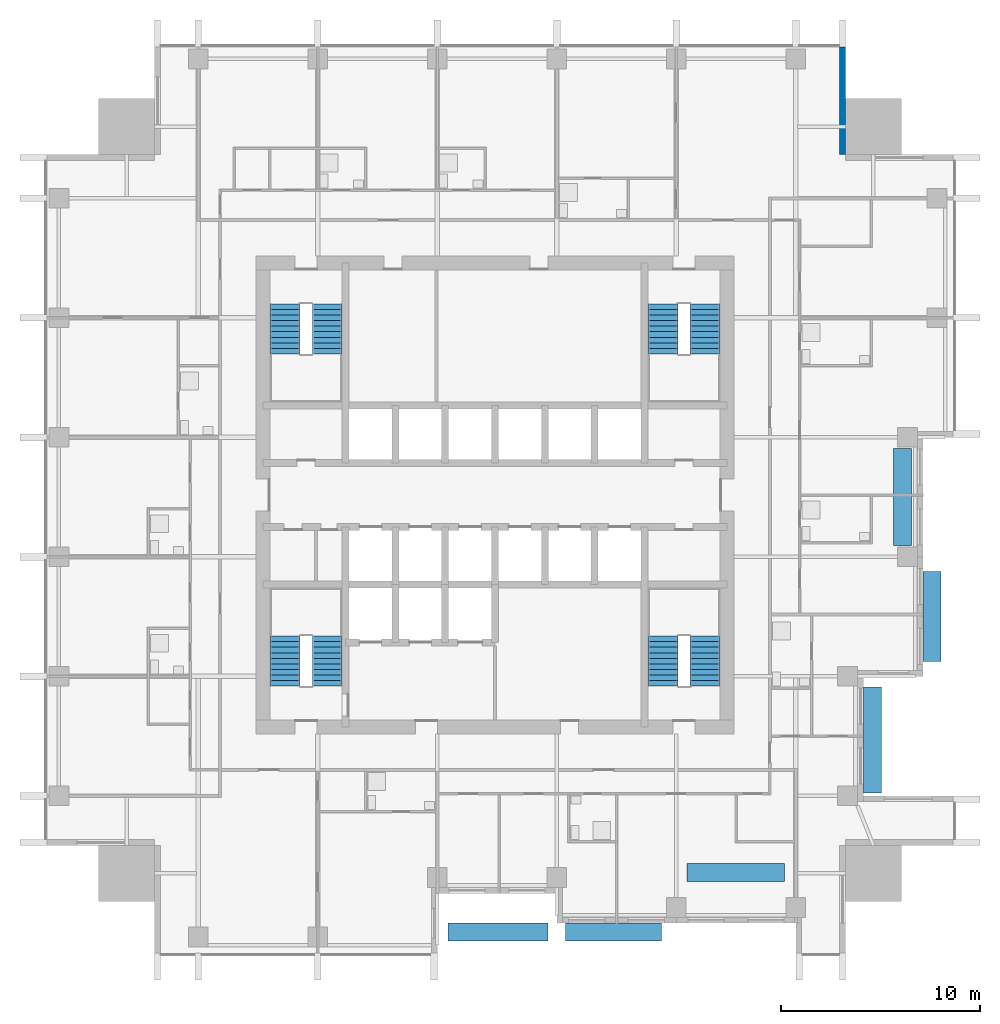
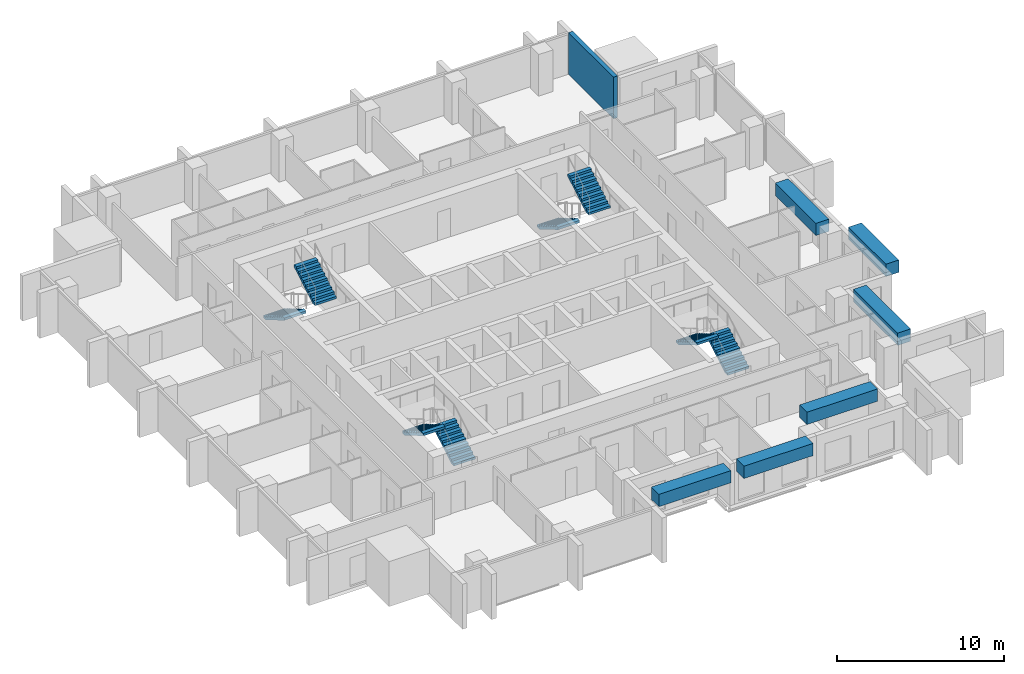
# One storey, part 8 of 10: 8 stair flights, 6 discrete accessories, 1 wall, 4 elements without a shape of their own.
"""IFC4 building model written with IfcOpenShell, lengths in metres."""

from ifc_helpers import new_model, si_unit, direction, frame, frame_2d, origin, origin_2d, place, context, subcontext, project, spatial, polyline, rectangle, outline, extrude, material, layer, layer_set, type_object, element, aggregate, save


model = new_model("IFC4")

# Units and contexts
model_context = context("Model", 3, precision=1e-05, world=origin(), true_north=direction((0.0, 1.0)))
body_context = subcontext(model_context, "Body", "Model", "MODEL_VIEW")
ifc_project = project(units=[si_unit("LENGTHUNIT", "METRE"), si_unit("AREAUNIT", "SQUARE_METRE"), si_unit("VOLUMEUNIT", "CUBIC_METRE"), si_unit("PLANEANGLEUNIT", "RADIAN"), si_unit("MASSUNIT", "GRAM", prefix="KILO")], contexts=[model_context])

# Site, building, storey
site_placement = place(None, origin())
site = spatial("IfcSite", under=ifc_project, at=site_placement, CompositionType="ELEMENT")
building_placement = place(site_placement, origin())
building = spatial("IfcBuilding", under=site, at=building_placement, Name="Amberfall Residences", CompositionType="ELEMENT")
storey_placement = place(building_placement, frame((0.0, 0.0, 140.5)))
storey = spatial("IfcBuildingStorey", under=building, at=storey_placement, Name="L37", CompositionType="ELEMENT", Elevation=140.5)

# Wall
ifc_material_1 = material(Name="Pale stone cladding on insulated backing", Category="masonry")
ifc_layer = layer(ifc_material_1, 0.300048828125)
ifc_layer_set = layer_set([ifc_layer], Name="Bronze clad wall 300")
wall_type = type_object("IfcWallType", Name="Bronze clad wall 300", PredefinedType="SOLIDWALL", material=ifc_layer_set)
wall_placement = place(storey_placement, frame((91.949951171875, 62.60009765625, 0.0), z_axis=(0.0, 0.0, 1.0), x_axis=(0.0, 1.0, 0.0)))
element("IfcWall", 1, at=wall_placement, inside=storey, type_object=wall_type, Name="External wall L37 NE", PredefinedType="SOLIDWALL", context=body_context, shape_type="SweptSolid", body=[
    extrude(rectangle(XDim=5.39990234375, YDim=0.300048828125, at=frame_2d((2.699951171875, 0.0))), origin(), (0.0, 0.0, 1.0), 3.050048828125),
])

# Stair, stair flights
ifc_material_2 = material(Name="Concrete C40", Category="concrete")
stair_type = type_object("IfcStairType", Name="Exit stair 20 risers 165.0 mm", PredefinedType="HALF_TURN_STAIR", material=ifc_material_2)
stair_1_placement = place(storey_placement, origin())
stair_1 = element("IfcStair", 2, at=stair_1_placement, inside=storey, type_object=stair_type, Name="L37 Exit stair 1", PredefinedType="HALF_TURN_STAIR")
stair_flight_type = type_object("IfcStairFlightType", Name="Stair flight 10 risers 165.0 mm", PredefinedType="STRAIGHT", material=ifc_material_2)
stair_flight_1_placement = place(storey_placement, frame((66.074951171875, 35.89990234375, 0.0), z_axis=(0.0, 0.0, 1.0), x_axis=(0.0, 1.0, 0.0)))
stair_flight_1 = element("IfcStairFlight", 3, at=stair_flight_1_placement, type_object=stair_flight_type, Name="ST3 flight 1", NumberOfRisers=10, NumberOfTreads=9, PredefinedType="STRAIGHT", RiserHeight=0.165, TreadLength=0.28, context=body_context, shape_type="SweptSolid", body=[
    extrude(outline(polyline([(0.0, 0.0), (0.0, 0.1650390625), (0.280029296875, 0.1650390625), (0.280029296875, 0.330078125), (0.56005859375, 0.330078125), (0.56005859375, 0.4951171875), (0.840087890625, 0.4951171875), (0.840087890625, 0.659912109375), (1.1201171875, 0.659912109375), (1.1201171875, 0.824951171875), (1.39990234375, 0.824951171875), (1.39990234375, 0.989990234375), (1.679931640625, 0.989990234375), (1.679931640625, 1.155029296875), (1.9599609375, 1.155029296875), (1.9599609375, 1.320068359375), (2.239990234375, 1.320068359375), (2.239990234375, 1.485107421875), (2.52001953125, 1.485107421875), (2.52001953125, 1.64990234375), (2.52001953125, 1.31103515625), (0.295166015625, 0.0), (0.0, 0.0)])), frame((0.0, 0.75, 0.0), z_axis=(0.0, -1.0, 0.0), x_axis=(1.0, 0.0, 0.0)), (0.0, 0.0, 1.0), 1.5),
])
stair_flight_2_placement = place(storey_placement, frame((63.949951171875, 38.419921875, 1.64990234375), z_axis=(0.0, 0.0, 1.0), x_axis=(0.0, -1.0, 0.0)))
stair_flight_2 = element("IfcStairFlight", 4, at=stair_flight_2_placement, type_object=stair_flight_type, Name="ST3 flight 2", NumberOfRisers=10, NumberOfTreads=9, PredefinedType="STRAIGHT", RiserHeight=0.165, TreadLength=0.28, context=body_context, shape_type="SweptSolid", body=[
    extrude(outline(polyline([(0.0, 0.0), (0.0, 0.1650390625), (0.280029296875, 0.1650390625), (0.280029296875, 0.330078125), (0.56005859375, 0.330078125), (0.56005859375, 0.4951171875), (0.840087890625, 0.4951171875), (0.840087890625, 0.659912109375), (1.1201171875, 0.659912109375), (1.1201171875, 0.824951171875), (1.39990234375, 0.824951171875), (1.39990234375, 0.989990234375), (1.679931640625, 0.989990234375), (1.679931640625, 1.155029296875), (1.9599609375, 1.155029296875), (1.9599609375, 1.320068359375), (2.239990234375, 1.320068359375), (2.239990234375, 1.485107421875), (2.52001953125, 1.485107421875), (2.52001953125, 1.64990234375), (2.52001953125, 1.31103515625), (0.295166015625, 0.0), (0.0, 0.0)])), frame((0.0, 0.75, 0.0), z_axis=(0.0, -1.0, 0.0), x_axis=(1.0, 0.0, 0.0)), (0.0, 0.0, 1.0), 1.5),
])
aggregate(stair_1, [stair_flight_1, stair_flight_2])

stair_2_placement = place(storey_placement, origin())
stair_2 = element("IfcStair", 5, at=stair_2_placement, inside=storey, type_object=stair_type, Name="L37 Exit stair 2", PredefinedType="HALF_TURN_STAIR")
stair_flight_3_placement = place(storey_placement, frame((85.050048828125, 35.89990234375, 0.0), z_axis=(0.0, 0.0, 1.0), x_axis=(0.0, 1.0, 0.0)))
stair_flight_3 = element("IfcStairFlight", 6, at=stair_flight_3_placement, type_object=stair_flight_type, Name="ST3 flight 1", NumberOfRisers=10, NumberOfTreads=9, PredefinedType="STRAIGHT", RiserHeight=0.165, TreadLength=0.28, context=body_context, shape_type="SweptSolid", body=[
    extrude(outline(polyline([(0.0, 0.0), (0.0, 0.1650390625), (0.280029296875, 0.1650390625), (0.280029296875, 0.330078125), (0.56005859375, 0.330078125), (0.56005859375, 0.4951171875), (0.840087890625, 0.4951171875), (0.840087890625, 0.659912109375), (1.1201171875, 0.659912109375), (1.1201171875, 0.824951171875), (1.39990234375, 0.824951171875), (1.39990234375, 0.989990234375), (1.679931640625, 0.989990234375), (1.679931640625, 1.155029296875), (1.9599609375, 1.155029296875), (1.9599609375, 1.320068359375), (2.239990234375, 1.320068359375), (2.239990234375, 1.485107421875), (2.52001953125, 1.485107421875), (2.52001953125, 1.64990234375), (2.52001953125, 1.31103515625), (0.295166015625, 0.0), (0.0, 0.0)])), frame((0.0, 0.75, 0.0), z_axis=(0.0, -1.0, 0.0), x_axis=(1.0, 0.0, 0.0)), (0.0, 0.0, 1.0), 1.5),
])
stair_flight_4_placement = place(storey_placement, frame((82.925048828125, 38.419921875, 1.64990234375), z_axis=(0.0, 0.0, 1.0), x_axis=(0.0, -1.0, 0.0)))
stair_flight_4 = element("IfcStairFlight", 7, at=stair_flight_4_placement, type_object=stair_flight_type, Name="ST3 flight 2", NumberOfRisers=10, NumberOfTreads=9, PredefinedType="STRAIGHT", RiserHeight=0.165, TreadLength=0.28, context=body_context, shape_type="SweptSolid", body=[
    extrude(outline(polyline([(0.0, 0.0), (0.0, 0.1650390625), (0.280029296875, 0.1650390625), (0.280029296875, 0.330078125), (0.56005859375, 0.330078125), (0.56005859375, 0.4951171875), (0.840087890625, 0.4951171875), (0.840087890625, 0.659912109375), (1.1201171875, 0.659912109375), (1.1201171875, 0.824951171875), (1.39990234375, 0.824951171875), (1.39990234375, 0.989990234375), (1.679931640625, 0.989990234375), (1.679931640625, 1.155029296875), (1.9599609375, 1.155029296875), (1.9599609375, 1.320068359375), (2.239990234375, 1.320068359375), (2.239990234375, 1.485107421875), (2.52001953125, 1.485107421875), (2.52001953125, 1.64990234375), (2.52001953125, 1.31103515625), (0.295166015625, 0.0), (0.0, 0.0)])), frame((0.0, 0.75, 0.0), z_axis=(0.0, -1.0, 0.0), x_axis=(1.0, 0.0, 0.0)), (0.0, 0.0, 1.0), 1.5),
])
aggregate(stair_2, [stair_flight_3, stair_flight_4])

stair_3_placement = place(storey_placement, origin())
stair_3 = element("IfcStair", 8, at=stair_3_placement, inside=storey, type_object=stair_type, Name="L37 Exit stair 3", PredefinedType="HALF_TURN_STAIR")
stair_flight_5_placement = place(storey_placement, frame((82.925048828125, 55.10009765625, 0.0), z_axis=(0.0, 0.0, 1.0), x_axis=(0.0, -1.0, 0.0)))
stair_flight_5 = element("IfcStairFlight", 9, at=stair_flight_5_placement, type_object=stair_flight_type, Name="ST3 flight 1", NumberOfRisers=10, NumberOfTreads=9, PredefinedType="STRAIGHT", RiserHeight=0.165, TreadLength=0.28, context=body_context, shape_type="SweptSolid", body=[
    extrude(outline(polyline([(0.0, 0.0), (0.0, 0.1650390625), (0.280029296875, 0.1650390625), (0.280029296875, 0.330078125), (0.56005859375, 0.330078125), (0.56005859375, 0.4951171875), (0.840087890625, 0.4951171875), (0.840087890625, 0.659912109375), (1.1201171875, 0.659912109375), (1.1201171875, 0.824951171875), (1.39990234375, 0.824951171875), (1.39990234375, 0.989990234375), (1.679931640625, 0.989990234375), (1.679931640625, 1.155029296875), (1.9599609375, 1.155029296875), (1.9599609375, 1.320068359375), (2.239990234375, 1.320068359375), (2.239990234375, 1.485107421875), (2.52001953125, 1.485107421875), (2.52001953125, 1.64990234375), (2.52001953125, 1.31103515625), (0.295166015625, 0.0), (0.0, 0.0)])), frame((0.0, 0.75, 0.0), z_axis=(0.0, -1.0, 0.0), x_axis=(1.0, 0.0, 0.0)), (0.0, 0.0, 1.0), 1.5),
])
stair_flight_6_placement = place(storey_placement, frame((85.050048828125, 52.580078125, 1.64990234375), z_axis=(0.0, 0.0, 1.0), x_axis=(0.0, 1.0, 0.0)))
stair_flight_6 = element("IfcStairFlight", 10, at=stair_flight_6_placement, type_object=stair_flight_type, Name="ST3 flight 2", NumberOfRisers=10, NumberOfTreads=9, PredefinedType="STRAIGHT", RiserHeight=0.165, TreadLength=0.28, context=body_context, shape_type="SweptSolid", body=[
    extrude(outline(polyline([(0.0, 0.0), (0.0, 0.1650390625), (0.280029296875, 0.1650390625), (0.280029296875, 0.330078125), (0.56005859375, 0.330078125), (0.56005859375, 0.4951171875), (0.840087890625, 0.4951171875), (0.840087890625, 0.659912109375), (1.1201171875, 0.659912109375), (1.1201171875, 0.824951171875), (1.39990234375, 0.824951171875), (1.39990234375, 0.989990234375), (1.679931640625, 0.989990234375), (1.679931640625, 1.155029296875), (1.9599609375, 1.155029296875), (1.9599609375, 1.320068359375), (2.239990234375, 1.320068359375), (2.239990234375, 1.485107421875), (2.52001953125, 1.485107421875), (2.52001953125, 1.64990234375), (2.52001953125, 1.31103515625), (0.295166015625, 0.0), (0.0, 0.0)])), frame((0.0, 0.75, 0.0), z_axis=(0.0, -1.0, 0.0), x_axis=(1.0, 0.0, 0.0)), (0.0, 0.0, 1.0), 1.5),
])
aggregate(stair_3, [stair_flight_5, stair_flight_6])

stair_4_placement = place(storey_placement, origin())
stair_4 = element("IfcStair", 11, at=stair_4_placement, inside=storey, type_object=stair_type, Name="L37 Exit stair 4", PredefinedType="HALF_TURN_STAIR")
stair_flight_7_placement = place(storey_placement, frame((63.949951171875, 55.10009765625, 0.0), z_axis=(0.0, 0.0, 1.0), x_axis=(0.0, -1.0, 0.0)))
stair_flight_7 = element("IfcStairFlight", 12, at=stair_flight_7_placement, type_object=stair_flight_type, Name="ST3 flight 1", NumberOfRisers=10, NumberOfTreads=9, PredefinedType="STRAIGHT", RiserHeight=0.165, TreadLength=0.28, context=body_context, shape_type="SweptSolid", body=[
    extrude(outline(polyline([(0.0, 0.0), (0.0, 0.1650390625), (0.280029296875, 0.1650390625), (0.280029296875, 0.330078125), (0.56005859375, 0.330078125), (0.56005859375, 0.4951171875), (0.840087890625, 0.4951171875), (0.840087890625, 0.659912109375), (1.1201171875, 0.659912109375), (1.1201171875, 0.824951171875), (1.39990234375, 0.824951171875), (1.39990234375, 0.989990234375), (1.679931640625, 0.989990234375), (1.679931640625, 1.155029296875), (1.9599609375, 1.155029296875), (1.9599609375, 1.320068359375), (2.239990234375, 1.320068359375), (2.239990234375, 1.485107421875), (2.52001953125, 1.485107421875), (2.52001953125, 1.64990234375), (2.52001953125, 1.31103515625), (0.295166015625, 0.0), (0.0, 0.0)])), frame((0.0, 0.75, 0.0), z_axis=(0.0, -1.0, 0.0), x_axis=(1.0, 0.0, 0.0)), (0.0, 0.0, 1.0), 1.5),
])
stair_flight_8_placement = place(storey_placement, frame((66.074951171875, 52.580078125, 1.64990234375), z_axis=(0.0, 0.0, 1.0), x_axis=(0.0, 1.0, 0.0)))
stair_flight_8 = element("IfcStairFlight", 13, at=stair_flight_8_placement, type_object=stair_flight_type, Name="ST3 flight 2", NumberOfRisers=10, NumberOfTreads=9, PredefinedType="STRAIGHT", RiserHeight=0.165, TreadLength=0.28, context=body_context, shape_type="SweptSolid", body=[
    extrude(outline(polyline([(0.0, 0.0), (0.0, 0.1650390625), (0.280029296875, 0.1650390625), (0.280029296875, 0.330078125), (0.56005859375, 0.330078125), (0.56005859375, 0.4951171875), (0.840087890625, 0.4951171875), (0.840087890625, 0.659912109375), (1.1201171875, 0.659912109375), (1.1201171875, 0.824951171875), (1.39990234375, 0.824951171875), (1.39990234375, 0.989990234375), (1.679931640625, 0.989990234375), (1.679931640625, 1.155029296875), (1.9599609375, 1.155029296875), (1.9599609375, 1.320068359375), (2.239990234375, 1.320068359375), (2.239990234375, 1.485107421875), (2.52001953125, 1.485107421875), (2.52001953125, 1.64990234375), (2.52001953125, 1.31103515625), (0.295166015625, 0.0), (0.0, 0.0)])), frame((0.0, 0.75, 0.0), z_axis=(0.0, -1.0, 0.0), x_axis=(1.0, 0.0, 0.0)), (0.0, 0.0, 1.0), 1.5),
])
aggregate(stair_4, [stair_flight_7, stair_flight_8])

# Discrete accessories
discrete_accessory_1_placement = place(storey_placement, frame((93.449951171875, 33.205078125, 2.400146484375), z_axis=(0.0, 0.0, 1.0), x_axis=(0.0, 1.0, 0.0)))
element("IfcDiscreteAccessory", 14, at=discrete_accessory_1_placement, inside=storey, Name="Planter box L38 E3", ObjectType="PLANTER BOX", PredefinedType="USERDEFINED", context=body_context, shape_type="SweptSolid", body=[
    extrude(rectangle(XDim=5.31005859375, YDim=0.89990234375, at=origin_2d()), origin(), (0.0, 0.0, 1.0), 0.89990234375),
])
discrete_accessory_2_placement = place(storey_placement, frame((74.64501953125, 23.550048828125, 2.400146484375), z_axis=(0.0, 0.0, 1.0), x_axis=(1.0, 0.0, 0.0)))
element("IfcDiscreteAccessory", 15, at=discrete_accessory_2_placement, inside=storey, Name="Planter box L38 S3", ObjectType="PLANTER BOX", PredefinedType="USERDEFINED", context=body_context, shape_type="SweptSolid", body=[
    extrude(rectangle(XDim=5.010009765625, YDim=0.89990234375, at=origin_2d()), origin(), (0.0, 0.0, 1.0), 0.89990234375),
])
discrete_accessory_3_placement = place(storey_placement, frame((80.449951171875, 23.550048828125, 2.400146484375), z_axis=(0.0, 0.0, 1.0), x_axis=(1.0, 0.0, 0.0)))
element("IfcDiscreteAccessory", 16, at=discrete_accessory_3_placement, inside=storey, Name="Planter box L38 S4", ObjectType="PLANTER BOX", PredefinedType="USERDEFINED", context=body_context, shape_type="SweptSolid", body=[
    extrude(rectangle(XDim=4.800048828125, YDim=0.89990234375, at=origin_2d()), origin(), (0.0, 0.0, 1.0), 0.89990234375),
])
discrete_accessory_4_placement = place(storey_placement, frame((86.594970703125, 26.550048828125, 2.400146484375), z_axis=(0.0, 0.0, 1.0), x_axis=(1.0, 0.0, 0.0)))
element("IfcDiscreteAccessory", 17, at=discrete_accessory_4_placement, inside=storey, Name="Planter box L38 S6", ObjectType="PLANTER BOX", PredefinedType="USERDEFINED", context=body_context, shape_type="SweptSolid", body=[
    extrude(rectangle(XDim=4.889892578125, YDim=0.89990234375, at=origin_2d()), origin(), (0.0, 0.0, 1.0), 0.89990234375),
])
discrete_accessory_5_placement = place(storey_placement, frame((96.449951171875, 39.39990234375, 2.400146484375), z_axis=(0.0, 0.0, 1.0), x_axis=(0.0, 1.0, 0.0)))
element("IfcDiscreteAccessory", 18, at=discrete_accessory_5_placement, inside=storey, Name="Planter box L38 E5", ObjectType="PLANTER BOX", PredefinedType="USERDEFINED", context=body_context, shape_type="SweptSolid", body=[
    extrude(rectangle(XDim=4.5, YDim=0.89990234375, at=origin_2d()), origin(), (0.0, 0.0, 1.0), 0.89990234375),
])
discrete_accessory_6_placement = place(storey_placement, frame((94.949951171875, 45.39990234375, 2.400146484375), z_axis=(0.0, 0.0, 1.0), x_axis=(0.0, 1.0, 0.0)))
element("IfcDiscreteAccessory", 19, at=discrete_accessory_6_placement, inside=storey, Name="Planter box L38 E7", ObjectType="PLANTER BOX", PredefinedType="USERDEFINED", context=body_context, shape_type="SweptSolid", body=[
    extrude(rectangle(XDim=4.8798828125, YDim=0.89990234375, at=origin_2d()), origin(), (0.0, 0.0, 1.0), 0.89990234375),
])

save(model, "model.ifc")
